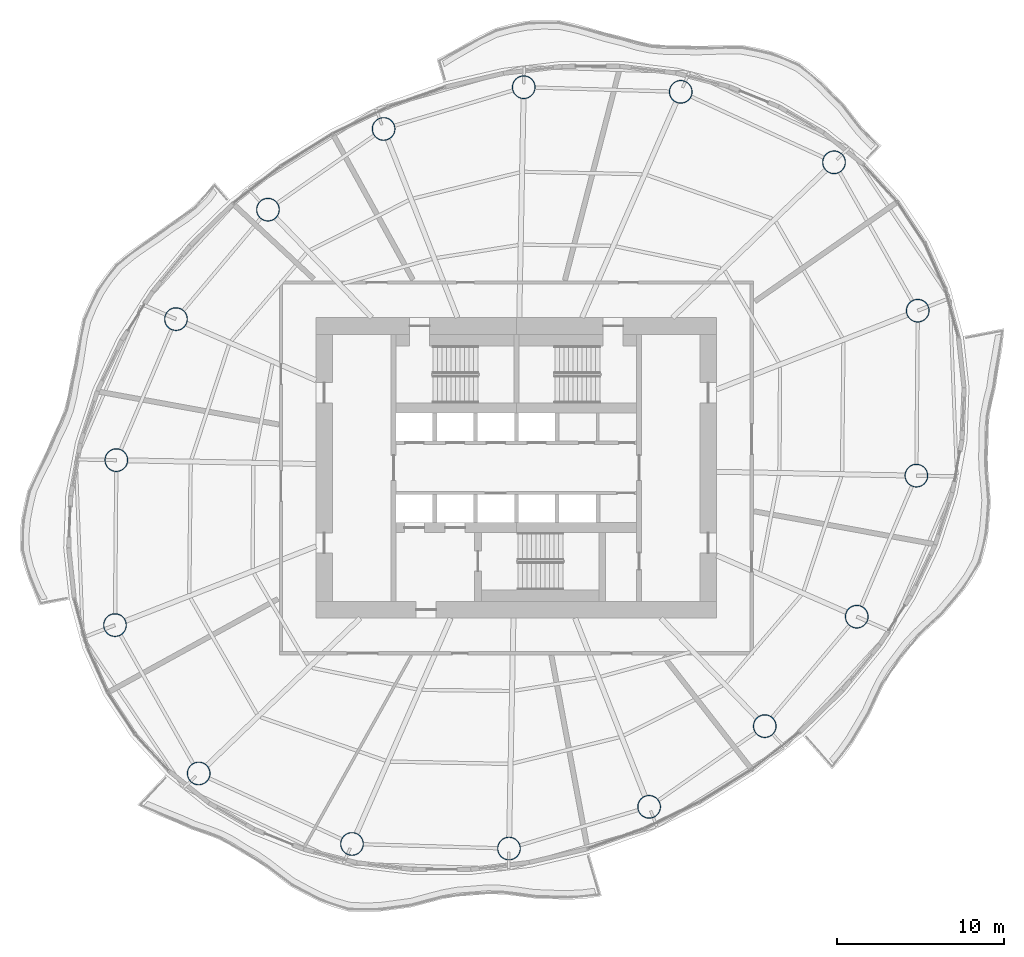
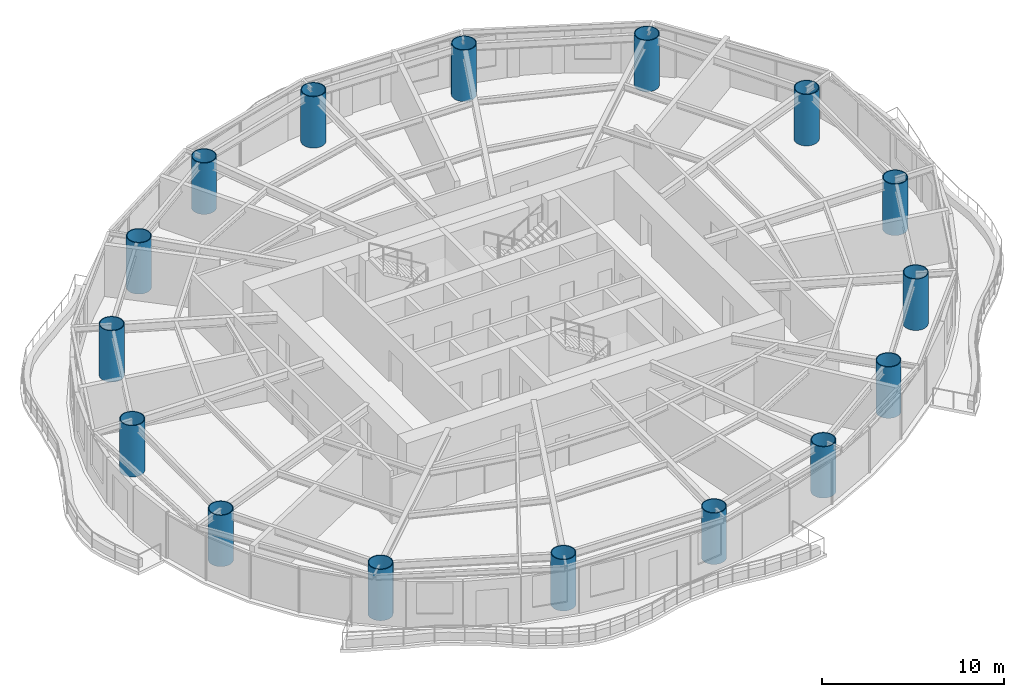
# One storey, part 1 of 14: 16 columns.
"""IFC4 building model written with IfcOpenShell, lengths in metres."""

from ifc_helpers import new_model, si_unit, direction, frame, origin, origin_2d, place, context, subcontext, project, spatial, hollow_circle, extrude, material, material_profile, profile_set, type_object, element, save


model = new_model("IFC4")

# Units and contexts
model_context = context("Model", 3, precision=1e-05, world=origin(), true_north=direction((0.0, 1.0)))
body_context = subcontext(model_context, "Body", "Model", "MODEL_VIEW")
ifc_project = project(units=[si_unit("LENGTHUNIT", "METRE"), si_unit("AREAUNIT", "SQUARE_METRE"), si_unit("VOLUMEUNIT", "CUBIC_METRE"), si_unit("PLANEANGLEUNIT", "RADIAN"), si_unit("MASSUNIT", "GRAM", prefix="KILO")], contexts=[model_context])

# Site, building, storey
site_placement = place(None, origin())
site = spatial("IfcSite", under=ifc_project, at=site_placement, CompositionType="ELEMENT")
building_placement = place(site_placement, origin())
building = spatial("IfcBuilding", under=site, at=building_placement, Name="Vermilion Reach Broadcast Tower", CompositionType="ELEMENT")
storey_placement = place(building_placement, frame((0.0, 0.0, 150.60009765625)))
storey = spatial("IfcBuildingStorey", under=building, at=storey_placement, Name="L35", CompositionType="ELEMENT", Elevation=150.60009765625)

# Columns
ifc_material = material(Name="Concrete C70 infill in steel S460NL tube", Category="concrete")
ifc_material_profile = material_profile(ifc_material, hollow_circle(Radius=0.699951171875, WallThickness=0.050048828125, at=origin_2d()), Name="Concrete C70 infill in steel S460NL tube CFT 1400x50")
ifc_profile_set = profile_set([ifc_material_profile], Name="Concrete C70 infill in steel S460NL tube")
column_type = type_object("IfcColumnType", Name="MC3 CFT 1400x50", PredefinedType="COLUMN", material=ifc_profile_set)
for number, where, z_axis, x_axis, name in (
    (1, (13.02587890625, 18.302734375, 0.0), (0.0, 0.0, 1.0), (1.0, 0.0, 0.0), "Mega-column MC3-01"),
    (2, (3.84521484375, 22.524169921875, 0.0), (0.0, 0.0, 1.0), (1.0, 0.0, 0.0), "Mega-column MC3-02"),
    (3, (-5.558349609375, 22.800048828125, 0.0), (0.0, 0.0, 1.0), (1.0, 0.0, 0.0), "Mega-column MC3-03"),
    (4, (-13.95166015625, 20.30078125, 0.0), (0.0, 0.0, 1.0), (1.0, 0.0, 0.0), "Mega-column MC3-04"),
    (5, (-20.879150390625, 15.46728515625, 0.0), (0.0, 0.0, 1.0), (1.0, 0.0, 0.0), "Mega-column MC3-05"),
    (6, (-26.38818359375, 8.91162109375, 0.0), (0.0, 0.0, 1.0), (1.0, 0.0, 0.0), "Mega-column MC3-06"),
    (7, (-29.95947265625, 0.464111328125, 0.0), (0.0, 0.0, 1.0), (1.0, 0.0, 0.0), "Mega-column MC3-07"),
    (8, (-30.04052734375, -9.41650390625, 0.0), (0.0, 0.0, 1.0), (1.0, 0.0, 0.0), "Mega-column MC3-08"),
    (9, (-25.02587890625, -18.302734375, 0.0), (0.0, 0.0, 1.0), (1.0, 0.0, 0.0), "Mega-column MC3-09"),
    (10, (-15.84521484375, -22.524169921875, 0.0), (0.0, 0.0, 1.0), (1.0, 0.0, 0.0), "Mega-column MC3-10"),
    (11, (-6.441650390625, -22.800048828125, 0.0), (0.0, 0.0, 1.0), (1.0, 0.0, 0.0), "Mega-column MC3-11"),
    (12, (1.95166015625, -20.30078125, 0.0), (0.0, 0.0, 1.0), (1.0, 0.0, 0.0), "Mega-column MC3-12"),
    (13, (8.879150390625, -15.46728515625, 0.0), (0.0, 0.0, 1.0), (1.0, 0.0, 0.0), "Mega-column MC3-13"),
    (14, (14.38818359375, -8.91162109375, 0.0), (0.0, 0.0, 1.0), (1.0, 0.0, 0.0), "Mega-column MC3-14"),
    (15, (17.95947265625, -0.464111328125, 0.0), (0.0, 0.0, 1.0), (1.0, 0.0, 0.0), "Mega-column MC3-15"),
    (16, (18.04052734375, 9.41650390625, 0.0), (0.0, 0.0, 1.0), (1.0, 0.0, 0.0), "Mega-column MC3-16"),
):
    element("IfcColumn", number, at=place(storey_placement, frame(where, z_axis=z_axis, x_axis=x_axis)), inside=storey, type_object=column_type, Name=name, PredefinedType="COLUMN", context=body_context, shape_type="SweptSolid", body=[
        extrude(hollow_circle(Radius=0.699951171875, WallThickness=0.050048828125, at=origin_2d()), origin(), (0.0, 0.0, 1.0), 3.449951171875),
    ])

save(model, "model.ifc")
